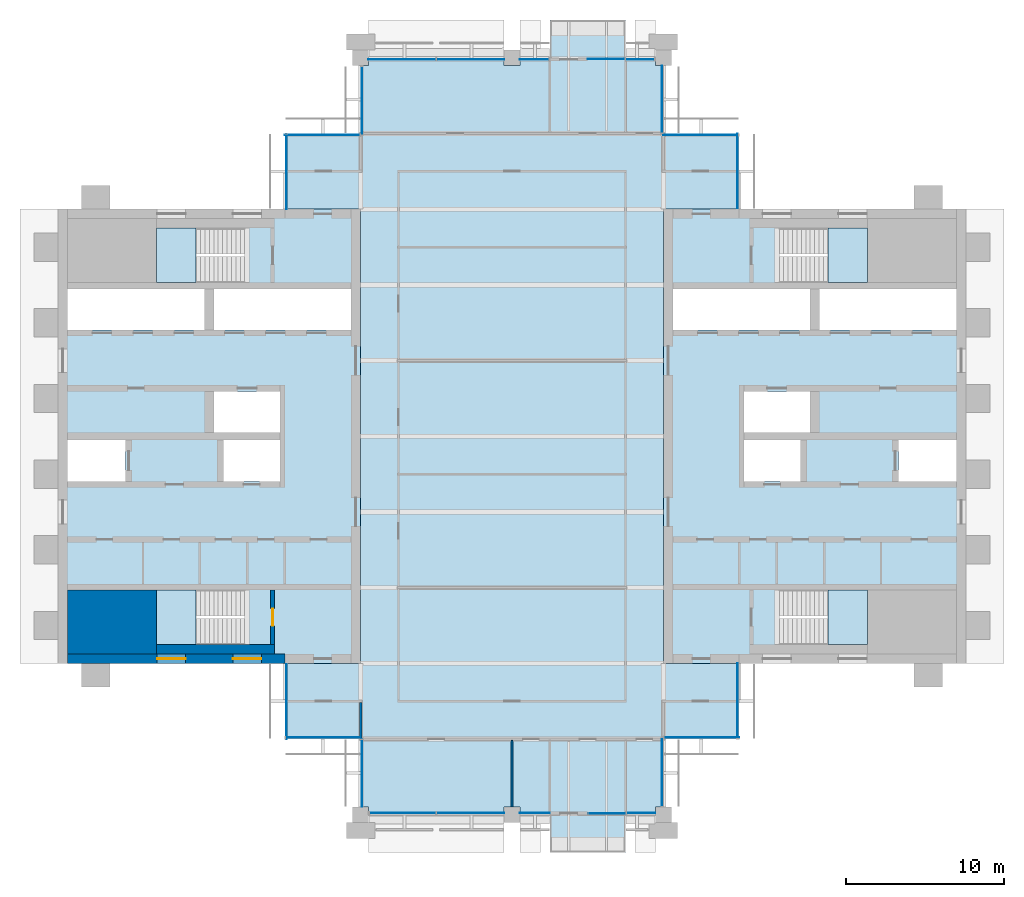
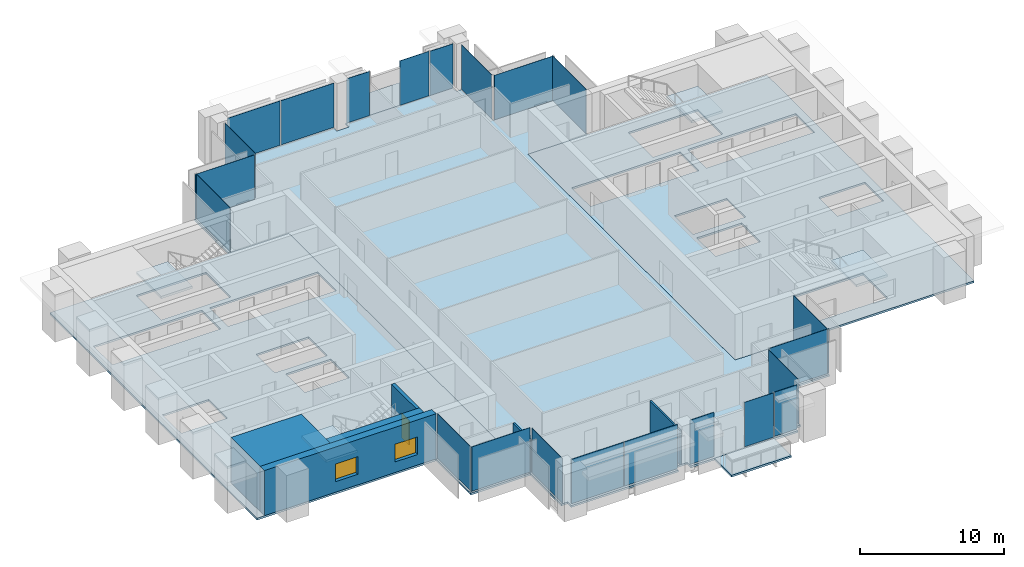
# One storey, part 7 of 13: 22 plates, 9 slabs, 6 walls, 2 windows, 1 door, 3 openings, 22 elements without a shape of their own.
"""IFC4 building model written with IfcOpenShell, lengths in metres."""

from ifc_helpers import new_model, si_unit, direction, frame, frame_2d, origin, origin_2d, place, context, subcontext, project, spatial, polyline, rectangle, outline, extrude, material, layer, layer_set, type_object, element, fill, aggregate, save


model = new_model("IFC4")

# Units and contexts
model_context = context("Model", 3, precision=1e-05, world=origin(), true_north=direction((0.0, 1.0)))
body_context = subcontext(model_context, "Body", "Model", "MODEL_VIEW")
ifc_project = project(units=[si_unit("LENGTHUNIT", "METRE"), si_unit("AREAUNIT", "SQUARE_METRE"), si_unit("VOLUMEUNIT", "CUBIC_METRE"), si_unit("PLANEANGLEUNIT", "RADIAN"), si_unit("MASSUNIT", "GRAM", prefix="KILO")], contexts=[model_context])

# Site, building, storey
site_placement = place(None, origin())
site = spatial("IfcSite", under=ifc_project, at=site_placement, CompositionType="ELEMENT")
building_placement = place(site_placement, origin())
building = spatial("IfcBuilding", under=site, at=building_placement, Name="Baori Bourse Tower", CompositionType="ELEMENT")
storey_placement = place(building_placement, frame((0.0, 0.0, 326.300048828125)))
storey = spatial("IfcBuildingStorey", under=building, at=storey_placement, Name="L72", CompositionType="ELEMENT", Elevation=326.300048828125)

# Slabs
ifc_material_1 = material(Name="Concrete f'c 40 MPa", Category="concrete")
ifc_layer_1 = layer(ifc_material_1, 0.159912109375)
ifc_layer_set_1 = layer_set([ifc_layer_1], Name="BL2 Balcony slab 160")
slab_type_1 = type_object("IfcSlabType", Name="BL2 Balcony slab 160", PredefinedType="FLOOR", material=ifc_layer_set_1)
slab_1_placement = place(storey_placement, frame((0.0, 0.0, -0.16015625)))
element("IfcSlab", 1, at=slab_1_placement, inside=storey, type_object=slab_type_1, Name="Balcony slab L72 S", PredefinedType="FLOOR", context=body_context, shape_type="SweptSolid", body=[
    extrude(outline(polyline([(31.199951171875, 0.0), (31.199951171875, -2.39990234375), (36.0, -2.39990234375), (36.0, 0.0), (31.199951171875, 0.0)])), origin(), (0.0, 0.0, 1.0), 0.16015625),
])
slab_2_placement = place(storey_placement, frame((0.0, 0.0, -0.16015625)))
element("IfcSlab", 2, at=slab_2_placement, inside=storey, type_object=slab_type_1, Name="Balcony slab L72 N", PredefinedType="FLOOR", context=body_context, shape_type="SweptSolid", body=[
    extrude(outline(polyline([(31.199951171875, 48.0), (36.0, 48.0), (36.0, 50.39990234375), (31.199951171875, 50.39990234375), (31.199951171875, 48.0)])), origin(), (0.0, 0.0, 1.0), 0.16015625),
])

# Curtain wall, plate
ifc_material_2 = material(Name="Pale anodised aluminium", Category="aluminium")
curtain_wall_type_1 = type_object("IfcCurtainWallType", Name="CW2 Curtain wall", PredefinedType="NOTDEFINED", material=ifc_material_2)
curtain_wall_1_placement = place(storey_placement, origin())
curtain_wall_1 = element("IfcCurtainWall", 3, at=curtain_wall_1_placement, inside=storey, type_object=curtain_wall_type_1, Name="Curtain wall CW2 L72 1", PredefinedType="NOTDEFINED")
ifc_material_3 = material(Name="Clear glass", Category="glass")
ifc_layer_2 = layer(ifc_material_3, 0.030029296875)
ifc_layer_set_2 = layer_set([ifc_layer_2], Name="CW2 Curtain wall panel")
plate_type_1 = type_object("IfcPlateType", Name="CW2 Curtain wall panel", PredefinedType="CURTAIN_PANEL", material=ifc_layer_set_2)
plate_1_placement = place(storey_placement, frame((43.110107421875, 40.827392578125, 0.06982421875), z_axis=(0.0, 0.0, 1.0), x_axis=(0.0, 1.0, 0.0)))
plate_1 = element("IfcPlate", 4, at=plate_1_placement, type_object=plate_type_1, Name="Curtain wall CW2 panel", PredefinedType="CURTAIN_PANEL", context=body_context, shape_type="SweptSolid", body=[
    extrude(rectangle(XDim=4.7451171875, YDim=0.030029296875, at=origin_2d()), origin(), (0.0, 0.0, 1.0), 3.77001953125),
])
aggregate(curtain_wall_1, [plate_1])

curtain_wall_2_placement = place(storey_placement, origin())
curtain_wall_2 = element("IfcCurtainWall", 5, at=curtain_wall_2_placement, inside=storey, type_object=curtain_wall_type_1, Name="Curtain wall CW2 L72 2", PredefinedType="NOTDEFINED")
plate_2_placement = place(storey_placement, frame((40.7724609375, 43.110107421875, 0.06982421875), z_axis=(0.0, 0.0, 1.0), x_axis=(-1.0, 0.0, 0.0)))
plate_2 = element("IfcPlate", 6, at=plate_2_placement, type_object=plate_type_1, Name="Curtain wall CW2 panel", PredefinedType="CURTAIN_PANEL", context=body_context, shape_type="SweptSolid", body=[
    extrude(rectangle(XDim=4.7451171875, YDim=0.030029296875, at=origin_2d()), origin(), (0.0, 0.0, 1.0), 3.77001953125),
])
aggregate(curtain_wall_2, [plate_2])

curtain_wall_3_placement = place(storey_placement, origin())
curtain_wall_3 = element("IfcCurtainWall", 7, at=curtain_wall_3_placement, inside=storey, type_object=curtain_wall_type_1, Name="Curtain wall CW2 L72 3", PredefinedType="NOTDEFINED")
plate_3_placement = place(storey_placement, frame((38.31005859375, 45.37744140625, 0.06982421875), z_axis=(0.0, 0.0, 1.0), x_axis=(0.0, 1.0, 0.0)))
plate_3 = element("IfcPlate", 8, at=plate_3_placement, type_object=plate_type_1, Name="Curtain wall CW2 panel", PredefinedType="CURTAIN_PANEL", context=body_context, shape_type="SweptSolid", body=[
    extrude(rectangle(XDim=4.2451171875, YDim=0.030029296875, at=origin_2d()), origin(), (0.0, 0.0, 1.0), 3.77001953125),
])
aggregate(curtain_wall_3, [plate_3])

curtain_wall_4_placement = place(storey_placement, origin())
curtain_wall_4 = element("IfcCurtainWall", 9, at=curtain_wall_4_placement, inside=storey, type_object=curtain_wall_type_1, Name="Curtain wall CW2 L72 7", PredefinedType="NOTDEFINED")
plate_4_placement = place(storey_placement, frame((19.2900390625, 45.322509765625, 0.06982421875), z_axis=(0.0, 0.0, 1.0), x_axis=(0.0, -1.0, 0.0)))
plate_4 = element("IfcPlate", 10, at=plate_4_placement, type_object=plate_type_1, Name="Curtain wall CW2 panel", PredefinedType="CURTAIN_PANEL", context=body_context, shape_type="SweptSolid", body=[
    extrude(rectangle(XDim=4.2451171875, YDim=0.030029296875, at=origin_2d()), origin(), (0.0, 0.0, 1.0), 3.77001953125),
])
aggregate(curtain_wall_4, [plate_4])

curtain_wall_5_placement = place(storey_placement, origin())
curtain_wall_5 = element("IfcCurtainWall", 11, at=curtain_wall_5_placement, inside=storey, type_object=curtain_wall_type_1, Name="Curtain wall CW2 L72 8", PredefinedType="NOTDEFINED")
plate_5_placement = place(storey_placement, frame((16.7724609375, 43.110107421875, 0.06982421875), z_axis=(0.0, 0.0, 1.0), x_axis=(-1.0, 0.0, 0.0)))
plate_5 = element("IfcPlate", 12, at=plate_5_placement, type_object=plate_type_1, Name="Curtain wall CW2 panel", PredefinedType="CURTAIN_PANEL", context=body_context, shape_type="SweptSolid", body=[
    extrude(rectangle(XDim=4.7451171875, YDim=0.030029296875, at=origin_2d()), origin(), (0.0, 0.0, 1.0), 3.77001953125),
])
aggregate(curtain_wall_5, [plate_5])

curtain_wall_6_placement = place(storey_placement, origin())
curtain_wall_6 = element("IfcCurtainWall", 13, at=curtain_wall_6_placement, inside=storey, type_object=curtain_wall_type_1, Name="Curtain wall CW2 L72 9", PredefinedType="NOTDEFINED")
plate_6_placement = place(storey_placement, frame((14.489990234375, 40.7724609375, 0.06982421875), z_axis=(0.0, 0.0, 1.0), x_axis=(0.0, -1.0, 0.0)))
plate_6 = element("IfcPlate", 14, at=plate_6_placement, type_object=plate_type_1, Name="Curtain wall CW2 panel", PredefinedType="CURTAIN_PANEL", context=body_context, shape_type="SweptSolid", body=[
    extrude(rectangle(XDim=4.7451171875, YDim=0.030029296875, at=origin_2d()), origin(), (0.0, 0.0, 1.0), 3.77001953125),
])
aggregate(curtain_wall_6, [plate_6])

curtain_wall_7_placement = place(storey_placement, origin())
curtain_wall_7 = element("IfcCurtainWall", 15, at=curtain_wall_7_placement, inside=storey, type_object=curtain_wall_type_1, Name="Curtain wall CW2 L72 10", PredefinedType="NOTDEFINED")
plate_7_placement = place(storey_placement, frame((14.489990234375, 7.172607421875, 0.06982421875), z_axis=(0.0, 0.0, 1.0), x_axis=(0.0, -1.0, 0.0)))
plate_7 = element("IfcPlate", 16, at=plate_7_placement, type_object=plate_type_1, Name="Curtain wall CW2 panel", PredefinedType="CURTAIN_PANEL", context=body_context, shape_type="SweptSolid", body=[
    extrude(rectangle(XDim=4.7451171875, YDim=0.030029296875, at=origin_2d()), origin(), (0.0, 0.0, 1.0), 3.77001953125),
])
aggregate(curtain_wall_7, [plate_7])

curtain_wall_8_placement = place(storey_placement, origin())
curtain_wall_8 = element("IfcCurtainWall", 17, at=curtain_wall_8_placement, inside=storey, type_object=curtain_wall_type_1, Name="Curtain wall CW2 L72 11", PredefinedType="NOTDEFINED")
plate_8_placement = place(storey_placement, frame((16.827392578125, 4.889892578125, 0.06982421875), z_axis=(0.0, 0.0, 1.0), x_axis=(1.0, 0.0, 0.0)))
plate_8 = element("IfcPlate", 18, at=plate_8_placement, type_object=plate_type_1, Name="Curtain wall CW2 panel", PredefinedType="CURTAIN_PANEL", context=body_context, shape_type="SweptSolid", body=[
    extrude(rectangle(XDim=4.7451171875, YDim=0.030029296875, at=origin_2d()), origin(), (0.0, 0.0, 1.0), 3.77001953125),
])
aggregate(curtain_wall_8, [plate_8])

curtain_wall_9_placement = place(storey_placement, origin())
curtain_wall_9 = element("IfcCurtainWall", 19, at=curtain_wall_9_placement, inside=storey, type_object=curtain_wall_type_1, Name="Curtain wall CW2 L72 12", PredefinedType="NOTDEFINED")
plate_9_placement = place(storey_placement, frame((19.2900390625, 2.62255859375, 0.06982421875), z_axis=(0.0, 0.0, 1.0), x_axis=(0.0, -1.0, 0.0)))
plate_9 = element("IfcPlate", 20, at=plate_9_placement, type_object=plate_type_1, Name="Curtain wall CW2 panel", PredefinedType="CURTAIN_PANEL", context=body_context, shape_type="SweptSolid", body=[
    extrude(rectangle(XDim=4.2451171875, YDim=0.030029296875, at=origin_2d()), origin(), (0.0, 0.0, 1.0), 3.77001953125),
])
aggregate(curtain_wall_9, [plate_9])

curtain_wall_10_placement = place(storey_placement, origin())
curtain_wall_10 = element("IfcCurtainWall", 21, at=curtain_wall_10_placement, inside=storey, type_object=curtain_wall_type_1, Name="Curtain wall CW2 L72 16", PredefinedType="NOTDEFINED")
plate_10_placement = place(storey_placement, frame((38.31005859375, 2.677490234375, 0.06982421875), z_axis=(0.0, 0.0, 1.0), x_axis=(0.0, 1.0, 0.0)))
plate_10 = element("IfcPlate", 22, at=plate_10_placement, type_object=plate_type_1, Name="Curtain wall CW2 panel", PredefinedType="CURTAIN_PANEL", context=body_context, shape_type="SweptSolid", body=[
    extrude(rectangle(XDim=4.2451171875, YDim=0.030029296875, at=origin_2d()), origin(), (0.0, 0.0, 1.0), 3.77001953125),
])
aggregate(curtain_wall_10, [plate_10])

curtain_wall_11_placement = place(storey_placement, origin())
curtain_wall_11 = element("IfcCurtainWall", 23, at=curtain_wall_11_placement, inside=storey, type_object=curtain_wall_type_1, Name="Curtain wall CW2 L72 17", PredefinedType="NOTDEFINED")
plate_11_placement = place(storey_placement, frame((40.827392578125, 4.889892578125, 0.06982421875), z_axis=(0.0, 0.0, 1.0), x_axis=(1.0, 0.0, 0.0)))
plate_11 = element("IfcPlate", 24, at=plate_11_placement, type_object=plate_type_1, Name="Curtain wall CW2 panel", PredefinedType="CURTAIN_PANEL", context=body_context, shape_type="SweptSolid", body=[
    extrude(rectangle(XDim=4.7451171875, YDim=0.030029296875, at=origin_2d()), origin(), (0.0, 0.0, 1.0), 3.77001953125),
])
aggregate(curtain_wall_11, [plate_11])

curtain_wall_12_placement = place(storey_placement, origin())
curtain_wall_12 = element("IfcCurtainWall", 25, at=curtain_wall_12_placement, inside=storey, type_object=curtain_wall_type_1, Name="Curtain wall CW2 L72 18", PredefinedType="NOTDEFINED")
plate_12_placement = place(storey_placement, frame((43.110107421875, 7.2275390625, 0.06982421875), z_axis=(0.0, 0.0, 1.0), x_axis=(0.0, 1.0, 0.0)))
plate_12 = element("IfcPlate", 26, at=plate_12_placement, type_object=plate_type_1, Name="Curtain wall CW2 panel", PredefinedType="CURTAIN_PANEL", context=body_context, shape_type="SweptSolid", body=[
    extrude(rectangle(XDim=4.7451171875, YDim=0.030029296875, at=origin_2d()), origin(), (0.0, 0.0, 1.0), 3.77001953125),
])
aggregate(curtain_wall_12, [plate_12])

ifc_material_4 = material(Name="Pale anodised aluminium", Category="aluminium")
curtain_wall_type_2 = type_object("IfcCurtainWallType", Name="CW5 Curtain wall", PredefinedType="NOTDEFINED", material=ifc_material_4)
curtain_wall_13_placement = place(storey_placement, origin())
curtain_wall_13 = element("IfcCurtainWall", 27, at=curtain_wall_13_placement, inside=storey, type_object=curtain_wall_type_2, Name="Curtain wall CW5 L72 4", PredefinedType="NOTDEFINED")
ifc_material_5 = material(Name="Clear glass", Category="glass")
ifc_layer_3 = layer(ifc_material_5, 0.035888671875)
ifc_layer_set_3 = layer_set([ifc_layer_3], Name="CW5 Curtain wall panel")
plate_type_2 = type_object("IfcPlateType", Name="CW5 Curtain wall panel", PredefinedType="CURTAIN_PANEL", material=ifc_layer_set_3)
plate_13_placement = place(storey_placement, frame((36.91748046875, 47.889892578125, 0.0849609375), z_axis=(0.0, 0.0, 1.0), x_axis=(-1.0, 0.0, 0.0)))
plate_13 = element("IfcPlate", 28, at=plate_13_placement, type_object=plate_type_2, Name="Curtain wall CW5 panel", PredefinedType="CURTAIN_PANEL", context=body_context, shape_type="SweptSolid", body=[
    extrude(rectangle(XDim=1.8349609375, YDim=0.035888671875, at=origin_2d()), origin(), (0.0, 0.0, 1.0), 3.7548828125),
])
aggregate(curtain_wall_13, [plate_13])

# Curtain wall, plates
curtain_wall_14_placement = place(storey_placement, origin())
curtain_wall_14 = element("IfcCurtainWall", 29, at=curtain_wall_14_placement, inside=storey, type_object=curtain_wall_type_2, Name="Curtain wall CW5 L72 6", PredefinedType="NOTDEFINED")
plate_14_placement = place(storey_placement, frame((30.217529296875, 47.889892578125, 0.0849609375), z_axis=(0.0, 0.0, 1.0), x_axis=(-1.0, 0.0, 0.0)))
plate_14 = element("IfcPlate", 30, at=plate_14_placement, type_object=plate_type_2, Name="Curtain wall CW5 panel", PredefinedType="CURTAIN_PANEL", context=body_context, shape_type="SweptSolid", body=[
    extrude(rectangle(XDim=1.8349609375, YDim=0.035888671875, at=origin_2d()), origin(), (0.0, 0.0, 1.0), 3.7548828125),
])
plate_15_placement = place(storey_placement, frame((26.166259765625, 47.889892578125, 0.0849609375), z_axis=(0.0, 0.0, 1.0), x_axis=(-1.0, 0.0, 0.0)))
plate_15 = element("IfcPlate", 31, at=plate_15_placement, type_object=plate_type_2, Name="Curtain wall CW5 panel", PredefinedType="CURTAIN_PANEL", context=body_context, shape_type="SweptSolid", body=[
    extrude(rectangle(XDim=4.267578125, YDim=0.035888671875, at=origin_2d()), origin(), (0.0, 0.0, 1.0), 3.7548828125),
])
plate_16_placement = place(storey_placement, frame((21.833740234375, 47.889892578125, 0.0849609375), z_axis=(0.0, 0.0, 1.0), x_axis=(-1.0, 0.0, 0.0)))
plate_16 = element("IfcPlate", 32, at=plate_16_placement, type_object=plate_type_2, Name="Curtain wall CW5 panel", PredefinedType="CURTAIN_PANEL", context=body_context, shape_type="SweptSolid", body=[
    extrude(rectangle(XDim=4.267578125, YDim=0.035888671875, at=origin_2d()), origin(), (0.0, 0.0, 1.0), 3.7548828125),
])
aggregate(curtain_wall_14, [plate_14, plate_15, plate_16])

curtain_wall_15_placement = place(storey_placement, origin())
curtain_wall_15 = element("IfcCurtainWall", 33, at=curtain_wall_15_placement, inside=storey, type_object=curtain_wall_type_2, Name="Curtain wall CW5 L72 13", PredefinedType="NOTDEFINED")
plate_17_placement = place(storey_placement, frame((21.8662109375, 0.110107421875, 0.0849609375), z_axis=(0.0, 0.0, 1.0), x_axis=(1.0, 0.0, 0.0)))
plate_17 = element("IfcPlate", 34, at=plate_17_placement, type_object=plate_type_2, Name="Curtain wall CW5 panel", PredefinedType="CURTAIN_PANEL", context=body_context, shape_type="SweptSolid", body=[
    extrude(rectangle(XDim=4.202392578125, YDim=0.035888671875, at=origin_2d()), origin(), (0.0, 0.0, 1.0), 3.7548828125),
])
plate_18_placement = place(storey_placement, frame((26.166259765625, 0.110107421875, 0.0849609375), z_axis=(0.0, 0.0, 1.0), x_axis=(1.0, 0.0, 0.0)))
plate_18 = element("IfcPlate", 35, at=plate_18_placement, type_object=plate_type_2, Name="Curtain wall CW5 panel", PredefinedType="CURTAIN_PANEL", context=body_context, shape_type="SweptSolid", body=[
    extrude(rectangle(XDim=4.267578125, YDim=0.035888671875, at=origin_2d()), origin(), (0.0, 0.0, 1.0), 3.7548828125),
])
plate_19_placement = place(storey_placement, frame((30.25, 0.110107421875, 0.0849609375), z_axis=(0.0, 0.0, 1.0), x_axis=(1.0, 0.0, 0.0)))
plate_19 = element("IfcPlate", 36, at=plate_19_placement, type_object=plate_type_2, Name="Curtain wall CW5 panel", PredefinedType="CURTAIN_PANEL", context=body_context, shape_type="SweptSolid", body=[
    extrude(rectangle(XDim=1.89990234375, YDim=0.035888671875, at=origin_2d()), origin(), (0.0, 0.0, 1.0), 3.7548828125),
])
aggregate(curtain_wall_15, [plate_17, plate_18, plate_19])

# Curtain wall, plate
curtain_wall_16_placement = place(storey_placement, origin())
curtain_wall_16 = element("IfcCurtainWall", 37, at=curtain_wall_16_placement, inside=storey, type_object=curtain_wall_type_2, Name="Curtain wall CW5 L72 15", PredefinedType="NOTDEFINED")
plate_20_placement = place(storey_placement, frame((36.982421875, 0.110107421875, 0.0849609375), z_axis=(0.0, 0.0, 1.0), x_axis=(1.0, 0.0, 0.0)))
plate_20 = element("IfcPlate", 38, at=plate_20_placement, type_object=plate_type_2, Name="Curtain wall CW5 panel", PredefinedType="CURTAIN_PANEL", context=body_context, shape_type="SweptSolid", body=[
    extrude(rectangle(XDim=1.8349609375, YDim=0.035888671875, at=origin_2d()), origin(), (0.0, 0.0, 1.0), 3.7548828125),
])
aggregate(curtain_wall_16, [plate_20])

ifc_material_6 = material(Name="Pale anodised aluminium", Category="aluminium")
curtain_wall_type_3 = type_object("IfcCurtainWallType", Name="CW6 Curtain wall", PredefinedType="NOTDEFINED", material=ifc_material_6)
curtain_wall_17_placement = place(storey_placement, origin())
curtain_wall_17 = element("IfcCurtainWall", 39, at=curtain_wall_17_placement, inside=storey, type_object=curtain_wall_type_3, Name="Curtain wall CW6 L72 5", PredefinedType="NOTDEFINED")
ifc_material_7 = material(Name="Clear glass", Category="glass")
ifc_layer_4 = layer(ifc_material_7, 0.028076171875)
ifc_layer_set_4 = layer_set([ifc_layer_4], Name="CW6 Curtain wall panel")
plate_type_3 = type_object("IfcPlateType", Name="CW6 Curtain wall panel", PredefinedType="CURTAIN_PANEL", material=ifc_layer_set_4)
plate_21_placement = place(storey_placement, frame((34.77490234375, 47.925048828125, 0.06494140625), z_axis=(0.0, 0.0, 1.0), x_axis=(-1.0, 0.0, 0.0)))
plate_21 = element("IfcPlate", 40, at=plate_21_placement, type_object=plate_type_3, Name="Curtain wall CW6 panel", PredefinedType="CURTAIN_PANEL", context=body_context, shape_type="SweptSolid", body=[
    extrude(rectangle(XDim=2.35009765625, YDim=0.028076171875, at=origin_2d()), origin(), (0.0, 0.0, 1.0), 3.77490234375),
])
aggregate(curtain_wall_17, [plate_21])

curtain_wall_18_placement = place(storey_placement, origin())
curtain_wall_18 = element("IfcCurtainWall", 41, at=curtain_wall_18_placement, inside=storey, type_object=curtain_wall_type_3, Name="Curtain wall CW6 L72 14", PredefinedType="NOTDEFINED")
plate_22_placement = place(storey_placement, frame((34.824951171875, 0.074951171875, 0.06494140625), z_axis=(0.0, 0.0, 1.0), x_axis=(1.0, 0.0, 0.0)))
plate_22 = element("IfcPlate", 42, at=plate_22_placement, type_object=plate_type_3, Name="Curtain wall CW6 panel", PredefinedType="CURTAIN_PANEL", context=body_context, shape_type="SweptSolid", body=[
    extrude(rectangle(XDim=2.35009765625, YDim=0.028076171875, at=origin_2d()), origin(), (0.0, 0.0, 1.0), 3.77490234375),
])
aggregate(curtain_wall_18, [plate_22])

# Slabs
ifc_material_8 = material(Name="Concrete f'c 50 MPa", Category="concrete")
ifc_layer_5 = layer(ifc_material_8, 0.159912109375)
ifc_layer_set_5 = layer_set([ifc_layer_5], Name="Core slab 160")
slab_type_2 = type_object("IfcSlabType", Name="Core slab 160", PredefinedType="FLOOR", material=ifc_layer_set_5)
slab_3_placement = place(storey_placement, frame((0.0, 0.0, -0.16015625)))
element("IfcSlab", 43, at=slab_3_placement, inside=storey, type_object=slab_type_2, Name="Core floor slab W01", PredefinedType="FLOOR", context=body_context, shape_type="SweptSolid", body=[
    extrude(outline(polyline([(19.199951171875, 38.39990234375), (0.0, 38.39990234375), (0.0, 9.60009765625), (19.199951171875, 9.60009765625), (19.199951171875, 38.39990234375)]), holes=[polyline([(9.89990234375, 33.35009765625), (18.60009765625, 33.35009765625), (18.60009765625, 30.75), (9.89990234375, 30.75), (9.89990234375, 33.35009765625)]), polyline([(10.5, 21.14990234375), (10.5, 23.75), (14.10009765625, 23.75), (14.10009765625, 21.14990234375), (10.5, 21.14990234375)]), polyline([(14.10009765625, 24.25), (9.89990234375, 24.25), (9.89990234375, 26.85009765625), (14.10009765625, 26.85009765625), (14.10009765625, 24.25)]), polyline([(6.25, 14.25), (11.84912109375, 14.25), (11.84912109375, 10.800048828125), (6.25, 10.800048828125), (6.25, 14.25)]), polyline([(11.84912109375, 37.199951171875), (11.84912109375, 33.75), (6.25, 33.75), (6.25, 37.199951171875), (11.84912109375, 37.199951171875)]), polyline([(0.60009765625, 30.75), (0.60009765625, 33.35009765625), (9.300048828125, 33.35009765625), (9.300048828125, 30.75), (0.60009765625, 30.75)]), polyline([(4.300048828125, 23.75), (4.300048828125, 21.14990234375), (0.60009765625, 21.14990234375), (0.60009765625, 23.75), (4.300048828125, 23.75)])]), origin(), (0.0, 0.0, 1.0), 0.16015625),
])
slab_4_placement = place(storey_placement, frame((0.0, 0.0, -0.16015625)))
element("IfcSlab", 44, at=slab_4_placement, inside=storey, type_object=slab_type_2, Name="Core floor slab E01", PredefinedType="FLOOR", context=body_context, shape_type="SweptSolid", body=[
    extrude(outline(polyline([(57.60009765625, 9.60009765625), (57.60009765625, 38.39990234375), (38.39990234375, 38.39990234375), (38.39990234375, 9.60009765625), (57.60009765625, 9.60009765625)]), holes=[polyline([(48.300048828125, 33.35009765625), (57.0, 33.35009765625), (57.0, 30.75), (48.300048828125, 30.75), (48.300048828125, 33.35009765625)]), polyline([(57.0, 21.14990234375), (53.300048828125, 21.14990234375), (53.300048828125, 23.75), (57.0, 23.75), (57.0, 21.14990234375)]), polyline([(45.750732421875, 14.25), (51.35009765625, 14.25), (51.35009765625, 10.800048828125), (45.750732421875, 10.800048828125), (45.750732421875, 14.25)]), polyline([(51.35009765625, 37.199951171875), (51.35009765625, 33.75), (45.750732421875, 33.75), (45.750732421875, 37.199951171875), (51.35009765625, 37.199951171875)]), polyline([(43.5, 24.25), (43.5, 26.85009765625), (47.699951171875, 26.85009765625), (47.699951171875, 24.25), (43.5, 24.25)]), polyline([(47.699951171875, 33.35009765625), (47.699951171875, 30.75), (39.0, 30.75), (39.0, 33.35009765625), (47.699951171875, 33.35009765625)]), polyline([(43.5, 23.75), (47.10009765625, 23.75), (47.10009765625, 21.14990234375), (43.5, 21.14990234375), (43.5, 23.75)])]), origin(), (0.0, 0.0, 1.0), 0.16015625),
])

# Stair, slab
ifc_material_9 = material(Name="Concrete f'c 50 MPa", Category="concrete")
stair_type = type_object("IfcStairType", Name="Core stair", PredefinedType="HALF_TURN_STAIR", material=ifc_material_9)
stair_1_placement = place(storey_placement, origin())
stair_1 = element("IfcStair", 45, at=stair_1_placement, inside=storey, type_object=stair_type, Name="L72 Stair WA", PredefinedType="HALF_TURN_STAIR")
ifc_material_10 = material(Name="Concrete f'c 50 MPa", Category="concrete")
slab_type_3 = type_object("IfcSlabType", Name="Core stair landing", PredefinedType="LANDING", material=ifc_material_10)
slab_5_placement = place(storey_placement, frame((0.0, 0.0, 1.800048828125)))
slab_5 = element("IfcSlab", 46, at=slab_5_placement, type_object=slab_type_3, Name="ST1 landing 1", PredefinedType="LANDING", context=body_context, shape_type="SweptSolid", body=[
    extrude(outline(polyline([(8.77001953125, 14.25), (6.25, 14.25), (6.25, 10.800048828125), (8.77001953125, 10.800048828125), (8.77001953125, 14.25)])), origin(), (0.0, 0.0, 1.0), 0.199951171875),
])
aggregate(stair_1, [slab_5])

stair_2_placement = place(storey_placement, origin())
stair_2 = element("IfcStair", 47, at=stair_2_placement, inside=storey, type_object=stair_type, Name="L72 Stair WB", PredefinedType="HALF_TURN_STAIR")
slab_6_placement = place(storey_placement, frame((0.0, 0.0, 1.800048828125)))
slab_6 = element("IfcSlab", 48, at=slab_6_placement, type_object=slab_type_3, Name="ST2 landing 1", PredefinedType="LANDING", context=body_context, shape_type="SweptSolid", body=[
    extrude(outline(polyline([(8.77001953125, 37.199951171875), (6.25, 37.199951171875), (6.25, 33.75), (8.77001953125, 33.75), (8.77001953125, 37.199951171875)])), origin(), (0.0, 0.0, 1.0), 0.199951171875),
])
aggregate(stair_2, [slab_6])

stair_3_placement = place(storey_placement, origin())
stair_3 = element("IfcStair", 49, at=stair_3_placement, inside=storey, type_object=stair_type, Name="L72 Stair EA", PredefinedType="HALF_TURN_STAIR")
slab_7_placement = place(storey_placement, frame((0.0, 0.0, 1.800048828125)))
slab_7 = element("IfcSlab", 50, at=slab_7_placement, type_object=slab_type_3, Name="ST3 landing 1", PredefinedType="LANDING", context=body_context, shape_type="SweptSolid", body=[
    extrude(outline(polyline([(48.830078125, 10.800048828125), (51.35009765625, 10.800048828125), (51.35009765625, 14.25), (48.830078125, 14.25), (48.830078125, 10.800048828125)])), origin(), (0.0, 0.0, 1.0), 0.199951171875),
])
aggregate(stair_3, [slab_7])

stair_4_placement = place(storey_placement, origin())
stair_4 = element("IfcStair", 51, at=stair_4_placement, inside=storey, type_object=stair_type, Name="L72 Stair EB", PredefinedType="HALF_TURN_STAIR")
slab_8_placement = place(storey_placement, frame((0.0, 0.0, 1.800048828125)))
slab_8 = element("IfcSlab", 52, at=slab_8_placement, type_object=slab_type_3, Name="ST4 landing 1", PredefinedType="LANDING", context=body_context, shape_type="SweptSolid", body=[
    extrude(outline(polyline([(48.830078125, 33.75), (51.35009765625, 33.75), (51.35009765625, 37.199951171875), (48.830078125, 37.199951171875), (48.830078125, 33.75)])), origin(), (0.0, 0.0, 1.0), 0.199951171875),
])
aggregate(stair_4, [slab_8])

# Slab
ifc_material_11 = material(Name="Concrete f'c 40 MPa", Category="concrete")
ifc_layer_6 = layer(ifc_material_11, 0.159912109375)
ifc_layer_set_6 = layer_set([ifc_layer_6], Name="Floor slab 160")
slab_type_4 = type_object("IfcSlabType", Name="Floor slab 160", PredefinedType="FLOOR", material=ifc_layer_set_6)
slab_9_placement = place(storey_placement, frame((0.0, 0.0, -0.16015625)))
element("IfcSlab", 53, at=slab_9_placement, inside=storey, type_object=slab_type_4, Name="Floor slab L72", PredefinedType="FLOOR", context=body_context, shape_type="SweptSolid", body=[
    extrude(outline(polyline([(19.199951171875, 4.800048828125), (14.39990234375, 4.800048828125), (14.39990234375, 9.60009765625), (19.199951171875, 9.60009765625), (19.199951171875, 38.39990234375), (14.39990234375, 38.39990234375), (14.39990234375, 43.199951171875), (19.199951171875, 43.199951171875), (19.199951171875, 47.5), (19.699951171875, 47.5), (19.699951171875, 48.0), (28.300048828125, 48.0), (28.300048828125, 47.5), (29.300048828125, 47.5), (29.300048828125, 48.0), (37.89990234375, 48.0), (37.89990234375, 47.5), (38.39990234375, 47.5), (38.39990234375, 43.199951171875), (43.199951171875, 43.199951171875), (43.199951171875, 38.39990234375), (38.39990234375, 38.39990234375), (38.39990234375, 9.60009765625), (43.199951171875, 9.60009765625), (43.199951171875, 4.800048828125), (38.39990234375, 4.800048828125), (38.39990234375, 0.5), (37.89990234375, 0.5), (37.89990234375, 0.0), (29.300048828125, 0.0), (29.300048828125, 0.5), (28.300048828125, 0.5), (28.300048828125, 0.0), (19.699951171875, 0.0), (19.699951171875, 0.5), (19.199951171875, 0.5), (19.199951171875, 4.800048828125)])), origin(), (0.0, 0.0, 1.0), 0.16015625),
])

# Wall
ifc_material_12 = material(Name="Concrete f'c 40 MPa", Category="concrete")
wall_type_1 = type_object("IfcWallType", Name="Core corner block f'c 40", PredefinedType="SHEAR", material=ifc_material_12)
wall_1_placement = place(storey_placement, frame((0.60009765625, 12.22509765625, 0.0), z_axis=(0.0, 0.0, 1.0), x_axis=(1.0, 0.0, 0.0)))
element("IfcWall", 54, at=wall_1_placement, inside=storey, type_object=wall_type_1, Name="Core wall W05", PredefinedType="SHEAR", context=body_context, shape_type="SweptSolid", body=[
    extrude(rectangle(XDim=5.64990234375, YDim=4.050048828125, at=frame_2d((2.824951171875, 0.0))), origin(), (0.0, 0.0, 1.0), 3.83984375),
])

# Wall, openings, windows
ifc_material_13 = material(Name="Concrete f'c 40 MPa", Category="concrete")
ifc_layer_7 = layer(ifc_material_13, 0.60009765625)
ifc_layer_set_7 = layer_set([ifc_layer_7], Name="Core wall 600 f'c 40")
wall_type_2 = type_object("IfcWallType", Name="Core wall 600 f'c 40", PredefinedType="SHEAR", material=ifc_layer_set_7)
wall_2_placement = place(storey_placement, frame((14.39990234375, 9.89990234375, 0.0), z_axis=(0.0, 0.0, 1.0), x_axis=(-1.0, 0.0, 0.0)))
wall_2 = element("IfcWall", 55, at=wall_2_placement, inside=storey, type_object=wall_type_2, Name="Core wall W02", PredefinedType="SHEAR", context=body_context, shape_type="SweptSolid", body=[
    extrude(rectangle(XDim=13.7998046875, YDim=0.60009765625, at=frame_2d((6.89990234375, 0.0))), origin(), (0.0, 0.0, 1.0), 3.83984375),
])
opening_1_placement = place(wall_2_placement, frame((6.300048828125, 0.0, 0.89990234375)))
opening_1 = element("IfcOpeningElement", 56, at=opening_1_placement, cuts=wall_2, Name="Opening L72-KW103", PredefinedType="OPENING", context=body_context, shape_type="SweptSolid", body=[
    extrude(rectangle(XDim=1.800048828125, YDim=1.5, at=frame_2d((0.89990234375, 0.75))), frame((0.0, 0.31005859375, 0.0), z_axis=(0.0, -1.0, 0.0), x_axis=(1.0, 0.0, 0.0)), (0.0, 0.0, 1.0), 0.6201171875),
])
opening_2_placement = place(wall_2_placement, frame((1.5, 0.0, 0.89990234375)))
opening_2 = element("IfcOpeningElement", 57, at=opening_2_placement, cuts=wall_2, Name="Opening L72-KW104", PredefinedType="OPENING", context=body_context, shape_type="SweptSolid", body=[
    extrude(rectangle(XDim=1.800048828125, YDim=1.5, at=frame_2d((0.89990234375, 0.75))), frame((0.0, 0.31005859375, 0.0), z_axis=(0.0, -1.0, 0.0), x_axis=(1.0, 0.0, 0.0)), (0.0, 0.0, 1.0), 0.6201171875),
])
ifc_material_14 = material(Name="Pale anodised aluminium", Category="aluminium")
window_type = type_object("IfcWindowType", Name="Stair window 1800 x 1500", PartitioningType="SINGLE_PANEL", PredefinedType="WINDOW", material=ifc_material_14)
window_1_placement = place(opening_1_placement, origin())
window_1 = element("IfcWindow", 58, at=window_1_placement, inside=storey, type_object=window_type, Name="Stair window W L72 3", OverallHeight=1.5, OverallWidth=1.800048828125, PartitioningType="SINGLE_PANEL", PredefinedType="WINDOW", context=body_context, shape_type="SweptSolid", body=[
    extrude(rectangle(XDim=1.800048828125, YDim=1.5, at=frame_2d((0.89990234375, 0.75))), frame((0.0, 0.030029296875, 0.0), z_axis=(0.0, -1.0, 0.0), x_axis=(1.0, 0.0, 0.0)), (0.0, 0.0, 1.0), 0.06005859375),
])
fill(opening_1, window_1)
window_2_placement = place(opening_2_placement, origin())
window_2 = element("IfcWindow", 59, at=window_2_placement, inside=storey, type_object=window_type, Name="Stair window W L72 4", OverallHeight=1.5, OverallWidth=1.800048828125, PartitioningType="SINGLE_PANEL", PredefinedType="WINDOW", context=body_context, shape_type="SweptSolid", body=[
    extrude(rectangle(XDim=1.800048828125, YDim=1.5, at=frame_2d((0.89990234375, 0.75))), frame((0.0, 0.030029296875, 0.0), z_axis=(0.0, -1.0, 0.0), x_axis=(1.0, 0.0, 0.0)), (0.0, 0.0, 1.0), 0.06005859375),
])
fill(opening_2, window_2)

# Walls
ifc_material_15 = material(Name="Gypsum board partition")
ifc_layer_8 = layer(ifc_material_15, 0.14990234375)
ifc_layer_set_8 = layer_set([ifc_layer_8], Name="Corridor partition 150")
wall_type_3 = type_object("IfcWallType", Name="Corridor partition 150", PredefinedType="PARTITIONING", material=ifc_layer_set_8)
wall_3_placement = place(storey_placement, frame((19.199951171875, 4.875, 0.0), z_axis=(0.0, 0.0, 1.0), x_axis=(0.0, 1.0, 0.0)))
element("IfcWall", 60, at=wall_3_placement, inside=storey, type_object=wall_type_3, Name="Partition", PredefinedType="PARTITIONING", context=body_context, shape_type="SweptSolid", body=[
    extrude(rectangle(XDim=2.25, YDim=0.14990234375, at=frame_2d((1.125, 0.0))), origin(), (0.0, 0.0, 1.0), 2.86962890625),
])
ifc_material_16 = material(Name="Gypsum board partition")
ifc_layer_9 = layer(ifc_material_16, 0.125)
ifc_layer_set_9 = layer_set([ifc_layer_9], Name="Partition 125")
wall_type_4 = type_object("IfcWallType", Name="Partition 125", PredefinedType="PARTITIONING", material=ifc_layer_set_9)
wall_4_placement = place(storey_placement, frame((28.800048828125, 0.5, 0.0), z_axis=(0.0, 0.0, 1.0), x_axis=(0.0, 1.0, 0.0)))
element("IfcWall", 61, at=wall_4_placement, inside=storey, type_object=wall_type_4, Name="Partition", PredefinedType="PARTITIONING", context=body_context, shape_type="SweptSolid", body=[
    extrude(rectangle(XDim=4.22509765625, YDim=0.125, at=frame_2d((2.112548828125, 0.0))), origin(), (0.0, 0.0, 1.0), 2.86962890625),
])

# Wall, opening, door
ifc_material_17 = material(Name="Concrete f'c 40 MPa", Category="concrete")
ifc_layer_10 = layer(ifc_material_17, 0.25)
ifc_layer_set_10 = layer_set([ifc_layer_10], Name="Shaft wall 250 f'c 40")
wall_type_5 = type_object("IfcWallType", Name="Shaft wall 250 f'c 40", PredefinedType="SHEAR", material=ifc_layer_set_10)
wall_5_placement = place(storey_placement, frame((13.625, 10.800048828125, 0.0), z_axis=(0.0, 0.0, 1.0), x_axis=(0.0, 1.0, 0.0)))
wall_5 = element("IfcWall", 62, at=wall_5_placement, inside=storey, type_object=wall_type_5, Name="Core wall W07", PredefinedType="SHEAR", context=body_context, shape_type="SweptSolid", body=[
    extrude(rectangle(XDim=3.449951171875, YDim=0.25, at=frame_2d((1.72509765625, 0.0))), origin(), (0.0, 0.0, 1.0), 3.83984375),
])
opening_3_placement = place(wall_5_placement, frame((1.175048828125, 0.0, 0.0)))
opening_3 = element("IfcOpeningElement", 63, at=opening_3_placement, cuts=wall_5, Name="Opening L72-D101", PredefinedType="OPENING", context=body_context, shape_type="SweptSolid", body=[
    extrude(rectangle(XDim=1.10009765625, YDim=2.10009765625, at=frame_2d((0.550048828125, 1.050048828125))), frame((0.0, 0.135009765625, 0.0), z_axis=(0.0, -1.0, 0.0), x_axis=(1.0, 0.0, 0.0)), (0.0, 0.0, 1.0), 0.27001953125),
])
ifc_material_18 = material(Name="Painted steel door", Category="steel")
door_type = type_object("IfcDoorType", Name="Stair door 1100", OperationType="SINGLE_SWING_LEFT", PredefinedType="DOOR", material=ifc_material_18)
door_placement = place(opening_3_placement, origin())
door = element("IfcDoor", 64, at=door_placement, inside=storey, type_object=door_type, Name="Stair door A W L72", OperationType="SINGLE_SWING_LEFT", OverallHeight=2.10009765625, OverallWidth=1.10009765625, PredefinedType="DOOR", context=body_context, shape_type="SweptSolid", body=[
    extrude(rectangle(XDim=1.10009765625, YDim=2.10009765625, at=frame_2d((0.550048828125, 1.050048828125))), frame((0.0, 0.02490234375, 0.0), z_axis=(0.0, -1.0, 0.0), x_axis=(1.0, 0.0, 0.0)), (0.0, 0.0, 1.0), 0.050048828125),
])
fill(opening_3, door)

# Wall
ifc_material_19 = material(Name="Concrete f'c 40 MPa", Category="concrete")
ifc_layer_11 = layer(ifc_material_19, 0.60009765625)
ifc_layer_set_11 = layer_set([ifc_layer_11], Name="Shaft wall 600 f'c 40")
wall_type_6 = type_object("IfcWallType", Name="Shaft wall 600 f'c 40", PredefinedType="SHEAR", material=ifc_layer_set_11)
wall_6_placement = place(storey_placement, frame((6.25, 10.5, 0.0), z_axis=(0.0, 0.0, 1.0), x_axis=(1.0, 0.0, 0.0)))
element("IfcWall", 65, at=wall_6_placement, inside=storey, type_object=wall_type_6, Name="Core wall W06", PredefinedType="SHEAR", context=body_context, shape_type="SweptSolid", body=[
    extrude(rectangle(XDim=7.5, YDim=0.60009765625, at=frame_2d((3.75, 0.0))), origin(), (0.0, 0.0, 1.0), 3.83984375),
])

save(model, "model.ifc")
